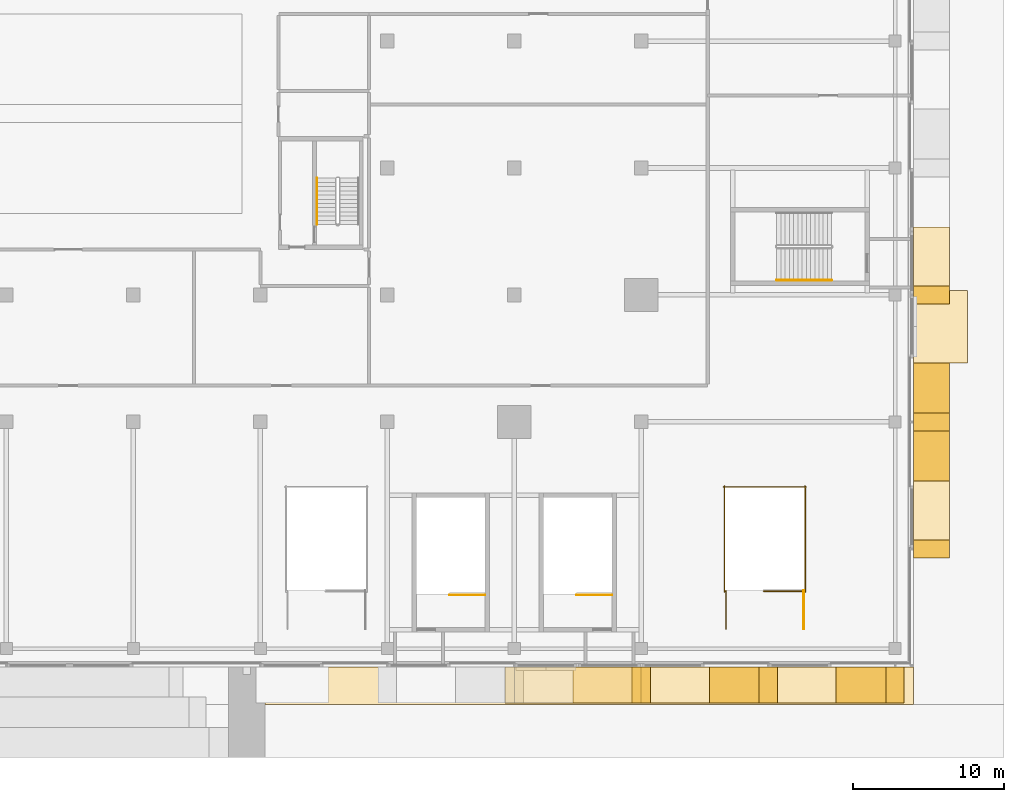
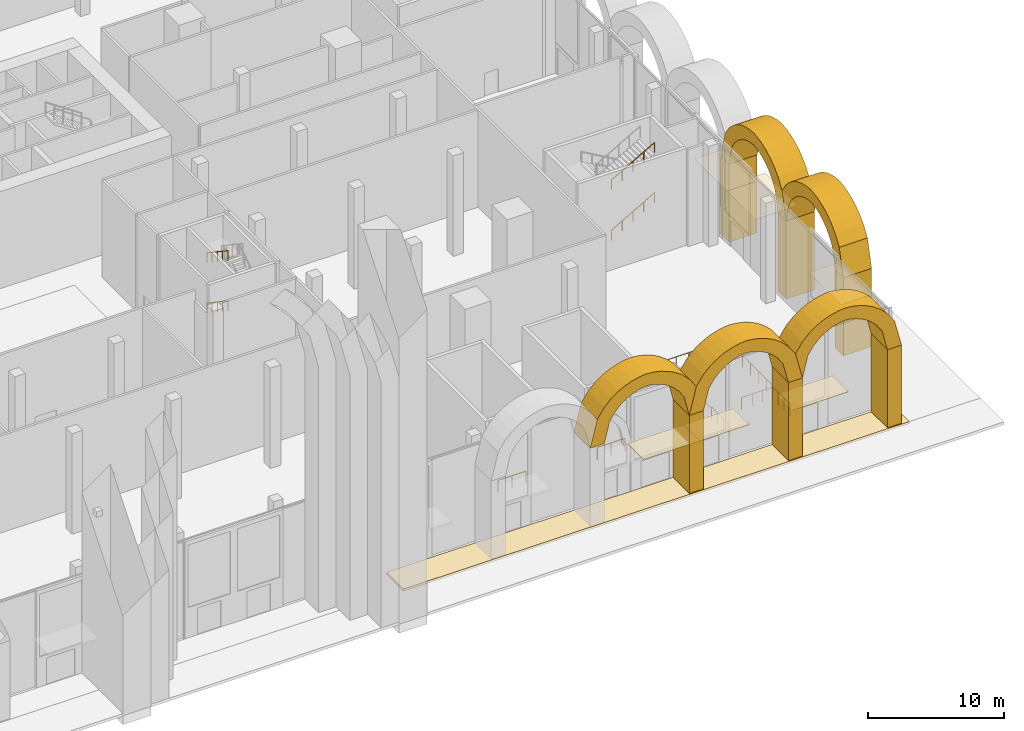
# One storey, part 38 of 43: 18 coverings, 8 railings.
"""IFC4 building model written with IfcOpenShell, lengths in metres."""

from ifc_helpers import new_model, si_unit, direction, frame, origin, origin_2d, place, context, subcontext, project, spatial, polyline, circle, outline, extrude, material, layer, layer_set, type_object, element, save


model = new_model("IFC4")

# Units and contexts
model_context = context("Model", 3, precision=1e-05, world=origin(), true_north=direction((0.0, 1.0)))
body_context = subcontext(model_context, "Body", "Model", "MODEL_VIEW")
ifc_project = project(units=[si_unit("LENGTHUNIT", "METRE"), si_unit("AREAUNIT", "SQUARE_METRE"), si_unit("VOLUMEUNIT", "CUBIC_METRE"), si_unit("PLANEANGLEUNIT", "RADIAN"), si_unit("MASSUNIT", "GRAM", prefix="KILO")], contexts=[model_context])

# Site, building, storey
site_placement = place(None, origin())
site = spatial("IfcSite", under=ifc_project, at=site_placement, CompositionType="ELEMENT")
building_placement = place(site_placement, origin())
building = spatial("IfcBuilding", under=site, at=building_placement, Name="Saffron Gate Tower", CompositionType="ELEMENT")
storey_placement = place(building_placement, origin())
storey = spatial("IfcBuildingStorey", under=building, at=storey_placement, Name="L00", CompositionType="ELEMENT", Elevation=0.0)

# Coverings
ifc_material_1 = material(Name="Cast stone cladding, pale limestone", Category="masonry")
ifc_layer_1 = layer(ifc_material_1, 1.199951171875)
ifc_layer_set_1 = layer_set([ifc_layer_1], Name="AR1 arcade pier")
covering_type_1 = type_object("IfcCoveringType", Name="AR1 arcade pier", PredefinedType="CLADDING", material=ifc_layer_set_1)
covering_1_placement = place(storey_placement, origin())
element("IfcCovering", 1, at=covering_1_placement, inside=storey, type_object=covering_type_1, Name="ARCADE PIER", PredefinedType="CLADDING", context=body_context, shape_type="SweptSolid", body=[
    extrude(outline(polyline([(124.800048828125, 15.60009765625), (126.0, 15.60009765625), (126.0, 13.199951171875), (124.800048828125, 13.199951171875), (124.800048828125, 15.60009765625)])), origin(), (0.0, 0.0, 1.0), 7.0),
])
covering_2_placement = place(storey_placement, origin())
element("IfcCovering", 2, at=covering_2_placement, inside=storey, type_object=covering_type_1, Name="ARCADE PIER", PredefinedType="CLADDING", context=body_context, shape_type="SweptSolid", body=[
    extrude(outline(polyline([(133.199951171875, 15.60009765625), (134.39990234375, 15.60009765625), (134.39990234375, 13.199951171875), (133.199951171875, 13.199951171875), (133.199951171875, 15.60009765625)])), origin(), (0.0, 0.0, 1.0), 7.0),
])
covering_3_placement = place(storey_placement, origin())
element("IfcCovering", 3, at=covering_3_placement, inside=storey, type_object=covering_type_1, Name="ARCADE PIER", PredefinedType="CLADDING", context=body_context, shape_type="SweptSolid", body=[
    extrude(outline(polyline([(141.60009765625, 15.60009765625), (142.800048828125, 15.60009765625), (142.800048828125, 13.199951171875), (141.60009765625, 13.199951171875), (141.60009765625, 15.60009765625)])), origin(), (0.0, 0.0, 1.0), 7.0),
])
covering_4_placement = place(storey_placement, origin())
element("IfcCovering", 4, at=covering_4_placement, inside=storey, type_object=covering_type_1, Name="ARCADE PIER", PredefinedType="CLADDING", context=body_context, shape_type="SweptSolid", body=[
    extrude(outline(polyline([(143.39990234375, 22.800048828125), (143.39990234375, 24.0), (145.800048828125, 24.0), (145.800048828125, 22.800048828125), (143.39990234375, 22.800048828125)])), origin(), (0.0, 0.0, 1.0), 7.0),
])
covering_5_placement = place(storey_placement, origin())
element("IfcCovering", 5, at=covering_5_placement, inside=storey, type_object=covering_type_1, Name="ARCADE PIER", PredefinedType="CLADDING", context=body_context, shape_type="SweptSolid", body=[
    extrude(outline(polyline([(143.39990234375, 31.199951171875), (143.39990234375, 32.39990234375), (145.800048828125, 32.39990234375), (145.800048828125, 31.199951171875), (143.39990234375, 31.199951171875)])), origin(), (0.0, 0.0, 1.0), 7.0),
])
covering_6_placement = place(storey_placement, origin())
element("IfcCovering", 6, at=covering_6_placement, inside=storey, type_object=covering_type_1, Name="ARCADE PIER", PredefinedType="CLADDING", context=body_context, shape_type="SweptSolid", body=[
    extrude(outline(polyline([(143.39990234375, 39.60009765625), (143.39990234375, 40.800048828125), (145.800048828125, 40.800048828125), (145.800048828125, 39.60009765625), (143.39990234375, 39.60009765625)])), origin(), (0.0, 0.0, 1.0), 7.0),
])
ifc_layer_2 = layer(ifc_material_1, 2.39990234375)
ifc_layer_set_2 = layer_set([ifc_layer_2], Name="AR2 arcade arch")
covering_type_2 = type_object("IfcCoveringType", Name="AR2 arcade arch", PredefinedType="CLADDING", material=ifc_layer_set_2)
covering_7_placement = place(storey_placement, frame((117.60009765625, 13.199951171875, 7.0), z_axis=(0.0, -1.0, 0.0), x_axis=(0.239115028028, 0.0, 0.970991247835)))
element("IfcCovering", 7, at=covering_7_placement, inside=storey, type_object=covering_type_2, Name="ARCADE ARCH", PredefinedType="CLADDING", context=body_context, shape_type="SweptSolid", body=[
    extrude(outline(polyline([(0.0, 0.0), (1.881735228381075, 0.0), (2.646925345116447, -0.2749589311548678), (3.203267002539746, -0.6013486093049456), (3.639420046034304, -0.9573357774965345), (3.990290439579541, -1.334575973358484), (4.272829633319021, -1.7283918862185135), (4.4965783413497675, -2.136685466791156), (4.666988907104446, -2.558114028151451), (4.711758515497717, -3.010482766478218), (4.70324835930731, -3.4762235440027536), (4.63588933971578, -3.956204930829786), (4.500257498010882, -4.452999093065014), (4.279284628664273, -4.970809224560487), (3.938123145388924, -5.518216846097472), (3.3881715804938914, -6.117292273039781), (1.721616526260766, -6.991089572726843), (2.0085428843554953, -8.156231658446298), (4.172102963709491, -7.005410384046232), (4.878523373773681, -6.213673843174959), (5.310371767231315, -5.489301611680691), (5.5839235204239435, -4.804162737112771), (5.743391800658454, -4.146866474174116), (5.811592592998358, -3.512045622805447), (5.800200137231722, -2.897076734489788), (5.715735313457013, -2.29985111702), (5.513273779136993, -1.7319346487703329), (5.237739876808899, -1.1817614513665375), (4.882554348681876, -0.651203158605637), (4.436159710352636, -0.14335733582483634), (3.8756815990652784, 0.3366458753266979), (3.1569068475129147, 0.7774157295518843), (2.1635600793539953, 1.1508212744000663), (-0.28698473578711897, 1.1653791441295704), (0.0, 0.0)])), origin(), (0.0, 0.0, -1.0), 2.39990234375),
])
covering_8_placement = place(storey_placement, frame((126.0, 13.199951171875, 7.0), z_axis=(0.0, -1.0, 0.0), x_axis=(0.239115028028, 0.0, 0.970991247835)))
element("IfcCovering", 8, at=covering_8_placement, inside=storey, type_object=covering_type_2, Name="ARCADE ARCH", PredefinedType="CLADDING", context=body_context, shape_type="SweptSolid", body=[
    extrude(outline(polyline([(0.0, 0.0), (1.881735228381075, 0.0), (2.646925345116447, -0.2749589311548678), (3.203325380232136, -0.6015856677150615), (3.6394784237266933, -0.9575728359066504), (3.990290439579541, -1.334575973358484), (4.272829633319021, -1.7283918862185135), (4.4965783413497675, -2.136685466791156), (4.667047284796835, -2.5583510865615673), (4.7118168931901065, -3.0107198248883336), (4.70324835930731, -3.4762235440027536), (4.63588933971578, -3.956204930829786), (4.500257498010882, -4.452999093065014), (4.2793430063566635, -4.971046282970603), (3.9381815230813135, -5.518453904507588), (3.3881715804938914, -6.117292273039781), (1.721616526260766, -6.991089572726843), (2.0085428843554953, -8.156231658446298), (4.17216134140188, -7.005647442456348), (4.878523373773681, -6.213673843174959), (5.310430144923704, -5.489538670090807), (5.5839235204239435, -4.804162737112771), (5.743391800658454, -4.146866474174116), (5.8116509706907475, -3.512282681215563), (5.800200137231722, -2.897076734489788), (5.715793691149402, -2.300088175430116), (5.513273779136993, -1.7319346487703329), (5.237739876808899, -1.1817614513665375), (4.882612726374266, -0.6514402170157529), (4.436159710352636, -0.14335733582483634), (3.875739976757668, 0.336408816916582), (3.1569068475129147, 0.7774157295518843), (2.1635600793539953, 1.1508212744000663), (-0.2869263580947294, 1.1651420857194545), (0.0, 0.0)])), origin(), (0.0, 0.0, -1.0), 2.39990234375),
])
covering_9_placement = place(storey_placement, frame((134.39990234375, 13.199951171875, 7.0), z_axis=(0.0, -1.0, 0.0), x_axis=(0.239237346473, 0.0, 0.970961117683)))
element("IfcCovering", 9, at=covering_9_placement, inside=storey, type_object=covering_type_2, Name="ARCADE ARCH", PredefinedType="CLADDING", context=body_context, shape_type="SweptSolid", body=[
    extrude(outline(polyline([(0.0, 0.0), (1.8817936210051474, 0.0), (2.6470183695411396, -0.2748625343682679), (3.203401139395791, -0.6011821249482396), (3.6395990248106704, -0.9571143460609401), (3.990458530741687, -1.3340732870785366), (4.273105740640905, -1.7280906550741717), (4.496905881562616, -2.1363560457279465), (4.6673695353069125, -2.5577631363222815), (4.712196130366634, -3.010126231221047), (4.703686238248943, -3.4756310260603724), (4.636446092264326, -3.9558579456660814), (4.500876835137328, -4.452669190141585), (4.279969198526468, -4.970507154521985), (3.9388766774758355, -5.517957749435114), (3.388942177743862, -6.116865400559946), (1.7225556206533161, -6.9911096881612895), (2.0096287549104384, -8.156215619170132), (4.1730438427179735, -7.00512180004296), (4.879364508393852, -6.2132962743460105), (5.31112164584135, -5.488869646622356), (5.58452867913546, -4.80345926583334), (5.743972562952254, -4.1463799701936), (5.812093383376849, -3.5115505322869174), (5.800623457171799, -2.896583084012261), (5.716083398741931, -2.2993681117132256), (5.513491915359386, -1.7312401019492978), (5.237947114862605, -1.1813386702692357), (4.882694752625596, -0.6508251261129545), (4.436236142106971, -0.14303554179797584), (3.875697567000447, 0.3368970594759718), (3.1568088877405365, 0.7778134138152791), (2.163473495362826, 1.150856768073049), (-0.2870731342571223, 1.165105931008841), (0.0, 0.0)])), origin(), (0.0, 0.0, -1.0), 2.39990234375),
])
covering_10_placement = place(storey_placement, frame((145.800048828125, 24.0, 7.0), z_axis=(1.0, 0.0, 0.0), x_axis=(0.0, 0.239115028028, 0.970991247835)))
element("IfcCovering", 10, at=covering_10_placement, inside=storey, type_object=covering_type_2, Name="ARCADE ARCH", PredefinedType="CLADDING", context=body_context, shape_type="SweptSolid", body=[
    extrude(outline(polyline([(0.0, 0.0), (1.881735228381075, 0.0), (2.646925345116447, -0.2749589311548678), (3.203325380232136, -0.6015856677150615), (3.6394784237266933, -0.9575728359066504), (3.990290439579541, -1.334575973358484), (4.272829633319021, -1.7283918862185135), (4.4965783413497675, -2.136685466791156), (4.667047284796835, -2.5583510865615673), (4.7118168931901065, -3.0107198248883336), (4.70324835930731, -3.4762235440027536), (4.63588933971578, -3.956204930829786), (4.500257498010882, -4.452999093065014), (4.2793430063566635, -4.971046282970603), (3.9381815230813135, -5.518453904507588), (3.3881715804938914, -6.117292273039781), (1.721616526260766, -6.991089572726843), (2.0085428843554953, -8.156231658446298), (4.17216134140188, -7.005647442456348), (4.878523373773681, -6.213673843174959), (5.310430144923704, -5.489538670090807), (5.5839235204239435, -4.804162737112771), (5.743391800658454, -4.146866474174116), (5.8116509706907475, -3.512282681215563), (5.800200137231722, -2.897076734489788), (5.715793691149402, -2.300088175430116), (5.513273779136993, -1.7319346487703329), (5.237739876808899, -1.1817614513665375), (4.882612726374266, -0.6514402170157529), (4.436159710352636, -0.14335733582483634), (3.875739976757668, 0.336408816916582), (3.1569068475129147, 0.7774157295518843), (2.1635600793539953, 1.1508212744000663), (-0.2869263580947294, 1.1651420857194545), (0.0, 0.0)])), origin(), (0.0, 0.0, -1.0), 2.39990234375),
])
covering_11_placement = place(storey_placement, frame((145.800048828125, 32.39990234375, 7.0), z_axis=(1.0, 0.0, 0.0), x_axis=(0.0, 0.239237346473, 0.970961117683)))
element("IfcCovering", 11, at=covering_11_placement, inside=storey, type_object=covering_type_2, Name="ARCADE ARCH", PredefinedType="CLADDING", context=body_context, shape_type="SweptSolid", body=[
    extrude(outline(polyline([(0.0, 0.0), (1.8817936210051474, 0.0), (2.6470183695411396, -0.2748625343682679), (3.203401139395791, -0.6011821249482396), (3.6395990248106704, -0.9571143460609401), (3.990458530741687, -1.3340732870785366), (4.273105740640905, -1.7280906550741717), (4.496905881562616, -2.1363560457279465), (4.6673695353069125, -2.5577631363222815), (4.712196130366634, -3.010126231221047), (4.703686238248943, -3.4756310260603724), (4.636446092264326, -3.9558579456660814), (4.500876835137328, -4.452669190141585), (4.279969198526468, -4.970507154521985), (3.9388766774758355, -5.517957749435114), (3.388942177743862, -6.116865400559946), (1.7225556206533161, -6.9911096881612895), (2.0096287549104384, -8.156215619170132), (4.1730438427179735, -7.00512180004296), (4.879364508393852, -6.2132962743460105), (5.31112164584135, -5.488869646622356), (5.58452867913546, -4.80345926583334), (5.743972562952254, -4.1463799701936), (5.812093383376849, -3.5115505322869174), (5.800623457171799, -2.896583084012261), (5.716083398741931, -2.2993681117132256), (5.513491915359386, -1.7312401019492978), (5.237947114862605, -1.1813386702692357), (4.882694752625596, -0.6508251261129545), (4.436236142106971, -0.14303554179797584), (3.875697567000447, 0.3368970594759718), (3.1568088877405365, 0.7778134138152791), (2.163473495362826, 1.150856768073049), (-0.2870731342571223, 1.165105931008841), (0.0, 0.0)])), origin(), (0.0, 0.0, -1.0), 2.39990234375),
])
ifc_material_2 = material(Name="Bronze-anodised aluminium soffit panels", Category="aluminium")
ifc_layer_3 = layer(ifc_material_2, 0.030029296875)
ifc_layer_set_3 = layer_set([ifc_layer_3], Name="CE1 canopy soffit lining")
covering_type_3 = type_object("IfcCoveringType", Name="CE1 canopy soffit lining", PredefinedType="CEILING", material=ifc_layer_set_3)
covering_12_placement = place(storey_placement, frame((0.0, 0.0, 4.3701171875)))
element("IfcCovering", 12, at=covering_12_placement, inside=storey, type_object=covering_type_3, Name="ENTRANCE CANOPY soffit lining", PredefinedType="CEILING", context=body_context, shape_type="SweptSolid", body=[
    extrude(outline(polyline([(143.39990234375, 35.699951171875), (143.39990234375, 40.5), (147.0, 40.5), (147.0, 35.699951171875), (143.39990234375, 35.699951171875)])), origin(), (0.0, 0.0, 1.0), 0.02978515625),
])
covering_13_placement = place(storey_placement, frame((0.0, 0.0, 4.3701171875)))
element("IfcCovering", 13, at=covering_13_placement, inside=storey, type_object=covering_type_3, Name="ENTRANCE CANOPY soffit lining", PredefinedType="CEILING", context=body_context, shape_type="SweptSolid", body=[
    extrude(outline(polyline([(133.5, 15.60009765625), (138.300048828125, 15.60009765625), (138.300048828125, 13.199951171875), (133.5, 13.199951171875), (133.5, 15.60009765625)])), origin(), (0.0, 0.0, 1.0), 0.02978515625),
])
covering_14_placement = place(storey_placement, frame((0.0, 0.0, 4.3701171875)))
element("IfcCovering", 14, at=covering_14_placement, inside=storey, type_object=covering_type_3, Name="ENTRANCE CANOPY soffit lining", PredefinedType="CEILING", context=body_context, shape_type="SweptSolid", body=[
    extrude(outline(polyline([(143.39990234375, 23.10009765625), (143.39990234375, 27.89990234375), (145.800048828125, 27.89990234375), (145.800048828125, 23.10009765625), (143.39990234375, 23.10009765625)])), origin(), (0.0, 0.0, 1.0), 0.02978515625),
])
covering_15_placement = place(storey_placement, frame((0.0, 0.0, 4.3701171875)))
element("IfcCovering", 15, at=covering_15_placement, inside=storey, type_object=covering_type_3, Name="ENTRANCE CANOPY soffit lining", PredefinedType="CEILING", context=body_context, shape_type="SweptSolid", body=[
    extrude(outline(polyline([(125.10009765625, 15.60009765625), (129.89990234375, 15.60009765625), (129.89990234375, 13.199951171875), (125.10009765625, 13.199951171875), (125.10009765625, 15.60009765625)])), origin(), (0.0, 0.0, 1.0), 0.02978515625),
])
covering_16_placement = place(storey_placement, frame((0.0, 0.0, 4.3701171875)))
element("IfcCovering", 16, at=covering_16_placement, inside=storey, type_object=covering_type_3, Name="ENTRANCE CANOPY soffit lining", PredefinedType="CEILING", context=body_context, shape_type="SweptSolid", body=[
    extrude(outline(polyline([(143.39990234375, 39.89990234375), (143.39990234375, 44.699951171875), (145.800048828125, 44.699951171875), (145.800048828125, 39.89990234375), (143.39990234375, 39.89990234375)])), origin(), (0.0, 0.0, 1.0), 0.02978515625),
])
covering_17_placement = place(storey_placement, frame((0.0, 0.0, 4.3701171875)))
element("IfcCovering", 17, at=covering_17_placement, inside=storey, type_object=covering_type_3, Name="ENTRANCE CANOPY soffit lining", PredefinedType="CEILING", context=body_context, shape_type="SweptSolid", body=[
    extrude(outline(polyline([(120.89990234375, 15.60009765625), (125.699951171875, 15.60009765625), (125.699951171875, 13.199951171875), (120.89990234375, 13.199951171875), (120.89990234375, 15.60009765625)])), origin(), (0.0, 0.0, 1.0), 0.02978515625),
])

# Railings
ifc_material_3 = material(Name="Stainless steel and laminated glass", Category="steel")
railing_type_1 = type_object("IfcRailingType", Name="CR1 Stair guard 1100", PredefinedType="GUARDRAIL", material=ifc_material_3)
railing_1_placement = place(storey_placement, frame((131.0, 18.10009765625, 0.0)))
element("IfcRailing", 18, at=railing_1_placement, inside=storey, type_object=railing_type_1, Name="L00 SS4 top well guard 1", PredefinedType="GUARDRAIL", context=body_context, shape_type="SweptSolid", body=[
    extrude(circle(Radius=0.02392578125, at=origin_2d()), frame((0.0, 0.0, 1.076171875), z_axis=(0.0, 1.0, 0.0), x_axis=(-1.0, 0.0, 0.0)), (0.0, 0.0, 1.0), 2.5498046875),
    extrude(circle(Radius=0.02392578125, at=origin_2d()), frame((0.0, 2.5498046875, 1.076171875), z_axis=(-0.707969631694, -0.706242876495, 0.0), x_axis=(0.706242876495, -0.707969631694, 0.0)), (0.0, 0.0, 1.0), 0.141357421875),
    extrude(circle(Radius=0.02392578125, at=origin_2d()), frame((-0.10009765625, 2.449951171875, 1.076171875), z_axis=(0.0, 1.0, 0.0), x_axis=(-1.0, 0.0, 0.0)), (0.0, 0.0, 1.0), 7.0),
    extrude(circle(Radius=0.02392578125, at=origin_2d()), frame((-0.10009765625, 9.449951171875, 1.076171875), z_axis=(-0.705375805398, -0.708833529934, 0.0), x_axis=(0.708833529934, -0.705375805398, 0.0)), (0.0, 0.0, 1.0), 0.070556640625),
    extrude(circle(Radius=0.02392578125, at=origin_2d()), frame((-0.14990234375, 9.39990234375, 1.076171875), z_axis=(1.0, 0.0, 0.0), x_axis=(0.0, 1.0, 0.0)), (0.0, 0.0, 1.0), 5.449951171875),
    extrude(circle(Radius=0.02392578125, at=origin_2d()), frame((5.300048828125, 9.39990234375, 1.076171875), z_axis=(-0.707106781187, 0.707106781187, 0.0), x_axis=(-0.707106781187, -0.707106781187, 0.0)), (0.0, 0.0, 1.0), 0.07080078125),
    extrude(circle(Radius=0.02392578125, at=origin_2d()), frame((5.25, 9.449951171875, 1.076171875), z_axis=(0.0, -1.0, 0.0), x_axis=(1.0, 0.0, 0.0)), (0.0, 0.0, 1.0), 7.0),
    extrude(circle(Radius=0.02392578125, at=origin_2d()), frame((5.25, 2.449951171875, 1.076171875), z_axis=(-0.707106781187, 0.707106781187, 0.0), x_axis=(-0.707106781187, -0.707106781187, 0.0)), (0.0, 0.0, 1.0), 0.07080078125),
    extrude(circle(Radius=0.02392578125, at=origin_2d()), frame((5.199951171875, 2.5, 1.076171875), z_axis=(-1.0, 0.0, 0.0), x_axis=(0.0, -1.0, 0.0)), (0.0, 0.0, 1.0), 2.699951171875),
    extrude(circle(Radius=0.02099609375, at=origin_2d()), origin(), (0.0, 0.0, 1.0), 1.052001953125),
    extrude(circle(Radius=0.02099609375, at=origin_2d()), frame((0.0, 0.849853515625, 0.0)), (0.0, 0.0, 1.0), 1.052001953125),
    extrude(circle(Radius=0.02099609375, at=origin_2d()), frame((0.0, 1.699951171875, 0.0)), (0.0, 0.0, 1.0), 1.052001953125),
    extrude(circle(Radius=0.02099609375, at=origin_2d()), frame((0.0, 2.5498046875, 0.0)), (0.0, 0.0, 1.0), 1.052001953125),
    extrude(circle(Radius=0.02099609375, at=origin_2d()), frame((-0.10009765625, 2.449951171875, 0.0)), (0.0, 0.0, 1.0), 1.052001953125),
    extrude(circle(Radius=0.02099609375, at=origin_2d()), frame((-0.10009765625, 3.61669921875, 0.0)), (0.0, 0.0, 1.0), 1.052001953125),
    extrude(circle(Radius=0.02099609375, at=origin_2d()), frame((-0.10009765625, 4.783203125, 0.0)), (0.0, 0.0, 1.0), 1.052001953125),
    extrude(circle(Radius=0.02099609375, at=origin_2d()), frame((-0.10009765625, 5.949951171875, 0.0)), (0.0, 0.0, 1.0), 1.052001953125),
    extrude(circle(Radius=0.02099609375, at=origin_2d()), frame((-0.10009765625, 7.11669921875, 0.0)), (0.0, 0.0, 1.0), 1.052001953125),
    extrude(circle(Radius=0.02099609375, at=origin_2d()), frame((-0.10009765625, 8.283203125, 0.0)), (0.0, 0.0, 1.0), 1.052001953125),
    extrude(circle(Radius=0.02099609375, at=origin_2d()), frame((-0.10009765625, 9.449951171875, 0.0)), (0.0, 0.0, 1.0), 1.052001953125),
    extrude(circle(Radius=0.02099609375, at=origin_2d()), frame((-0.14990234375, 9.39990234375, 0.0)), (0.0, 0.0, 1.0), 1.052001953125),
    extrude(circle(Radius=0.02099609375, at=origin_2d()), frame((0.940185546875, 9.39990234375, 0.0)), (0.0, 0.0, 1.0), 1.052001953125),
    extrude(circle(Radius=0.02099609375, at=origin_2d()), frame((2.030029296875, 9.39990234375, 0.0)), (0.0, 0.0, 1.0), 1.052001953125),
    extrude(circle(Radius=0.02099609375, at=origin_2d()), frame((3.1201171875, 9.39990234375, 0.0)), (0.0, 0.0, 1.0), 1.052001953125),
    extrude(circle(Radius=0.02099609375, at=origin_2d()), frame((4.2099609375, 9.39990234375, 0.0)), (0.0, 0.0, 1.0), 1.052001953125),
    extrude(circle(Radius=0.02099609375, at=origin_2d()), frame((5.300048828125, 9.39990234375, 0.0)), (0.0, 0.0, 1.0), 1.052001953125),
    extrude(circle(Radius=0.02099609375, at=origin_2d()), frame((5.25, 9.449951171875, 0.0)), (0.0, 0.0, 1.0), 1.052001953125),
    extrude(circle(Radius=0.02099609375, at=origin_2d()), frame((5.25, 8.283203125, 0.0)), (0.0, 0.0, 1.0), 1.052001953125),
    extrude(circle(Radius=0.02099609375, at=origin_2d()), frame((5.25, 7.11669921875, 0.0)), (0.0, 0.0, 1.0), 1.052001953125),
    extrude(circle(Radius=0.02099609375, at=origin_2d()), frame((5.25, 5.949951171875, 0.0)), (0.0, 0.0, 1.0), 1.052001953125),
    extrude(circle(Radius=0.02099609375, at=origin_2d()), frame((5.25, 4.783203125, 0.0)), (0.0, 0.0, 1.0), 1.052001953125),
    extrude(circle(Radius=0.02099609375, at=origin_2d()), frame((5.25, 3.61669921875, 0.0)), (0.0, 0.0, 1.0), 1.052001953125),
    extrude(circle(Radius=0.02099609375, at=origin_2d()), frame((5.25, 2.449951171875, 0.0)), (0.0, 0.0, 1.0), 1.052001953125),
    extrude(circle(Radius=0.02099609375, at=origin_2d()), frame((5.199951171875, 2.5, 0.0)), (0.0, 0.0, 1.0), 1.052001953125),
    extrude(circle(Radius=0.02099609375, at=origin_2d()), frame((4.300048828125, 2.5, 0.0)), (0.0, 0.0, 1.0), 1.052001953125),
    extrude(circle(Radius=0.02099609375, at=origin_2d()), frame((3.39990234375, 2.5, 0.0)), (0.0, 0.0, 1.0), 1.052001953125),
    extrude(circle(Radius=0.02099609375, at=origin_2d()), frame((2.5, 2.5, 0.0)), (0.0, 0.0, 1.0), 1.052001953125),
])
railing_2_placement = place(storey_placement, frame((136.14990234375, 18.10009765625, 0.0)))
element("IfcRailing", 19, at=railing_2_placement, inside=storey, type_object=railing_type_1, Name="L00 SS4 top well guard 2", PredefinedType="GUARDRAIL", context=body_context, shape_type="SweptSolid", body=[
    extrude(circle(Radius=0.02392578125, at=origin_2d()), frame((0.0, 0.0, 1.076171875), z_axis=(0.0, 1.0, 0.0), x_axis=(-1.0, 0.0, 0.0)), (0.0, 0.0, 1.0), 2.5498046875),
    extrude(circle(Radius=0.02099609375, at=origin_2d()), origin(), (0.0, 0.0, 1.0), 1.052001953125),
    extrude(circle(Radius=0.02099609375, at=origin_2d()), frame((0.0, 0.849853515625, 0.0)), (0.0, 0.0, 1.0), 1.052001953125),
    extrude(circle(Radius=0.02099609375, at=origin_2d()), frame((0.0, 1.699951171875, 0.0)), (0.0, 0.0, 1.0), 1.052001953125),
    extrude(circle(Radius=0.02099609375, at=origin_2d()), frame((0.0, 2.5498046875, 0.0)), (0.0, 0.0, 1.0), 1.052001953125),
])
railing_3_placement = place(storey_placement, frame((123.47509765625, 20.35009765625, 0.0)))
element("IfcRailing", 20, at=railing_3_placement, inside=storey, type_object=railing_type_1, Name="L00 ST-M top well guard 1", PredefinedType="GUARDRAIL", context=body_context, shape_type="SweptSolid", body=[
    extrude(circle(Radius=0.02392578125, at=origin_2d()), frame((0.0, 0.0, 1.076171875), z_axis=(-1.0, 0.0, 0.0), x_axis=(0.0, -1.0, 0.0)), (0.0, 0.0, 1.0), 2.35009765625),
    extrude(circle(Radius=0.02099609375, at=origin_2d()), origin(), (0.0, 0.0, 1.0), 1.052001953125),
    extrude(circle(Radius=0.02099609375, at=origin_2d()), frame((-1.175048828125, 0.0, 0.0)), (0.0, 0.0, 1.0), 1.052001953125),
    extrude(circle(Radius=0.02099609375, at=origin_2d()), frame((-2.35009765625, 0.0, 0.0)), (0.0, 0.0, 1.0), 1.052001953125),
])
railing_4_placement = place(storey_placement, frame((115.074951171875, 20.35009765625, 0.0)))
element("IfcRailing", 21, at=railing_4_placement, inside=storey, type_object=railing_type_1, Name="L00 ST-N top well guard 1", PredefinedType="GUARDRAIL", context=body_context, shape_type="SweptSolid", body=[
    extrude(circle(Radius=0.02392578125, at=origin_2d()), frame((0.0, 0.0, 1.076171875), z_axis=(-1.0, 0.0, 0.0), x_axis=(0.0, -1.0, 0.0)), (0.0, 0.0, 1.0), 2.349853515625),
    extrude(circle(Radius=0.02099609375, at=origin_2d()), origin(), (0.0, 0.0, 1.0), 1.052001953125),
    extrude(circle(Radius=0.02099609375, at=origin_2d()), frame((-1.1748046875, 0.0, 0.0)), (0.0, 0.0, 1.0), 1.052001953125),
    extrude(circle(Radius=0.02099609375, at=origin_2d()), frame((-2.349853515625, 0.0, 0.0)), (0.0, 0.0, 1.0), 1.052001953125),
])
ifc_material_4 = material(Name="Stainless steel", Category="steel")
railing_type_2 = type_object("IfcRailingType", Name="CR2 Stair handrail 900", PredefinedType="HANDRAIL", material=ifc_material_4)
for number, where, name in (
    (22, (103.949951171875, 47.929931640625, 2.4375), "L00 ST-E stair handrail 2"),
    (23, (103.949951171875, 47.929931640625, 6.9375), "L00 ST-E stair handrail 4"),
):
    element("IfcRailing", number, at=place(storey_placement, frame(where)), inside=storey, type_object=railing_type_2, Name=name, PredefinedType="HANDRAIL", context=body_context, shape_type="SweptSolid", body=[
        extrude(circle(Radius=0.02392578125, at=origin_2d()), frame((0.0, 0.0, 0.8759765625), z_axis=(0.0, -0.830893310487, 0.556431762742), x_axis=(1.0, 0.0, 0.0)), (0.0, 0.0, 1.0), 3.70654296875),
        extrude(circle(Radius=0.02099609375, at=origin_2d()), origin(), (0.0, 0.0, 1.0), 0.851806640625),
        extrude(circle(Radius=0.02099609375, at=origin_2d()), frame((0.0, -0.77001953125, 0.515625)), (0.0, 0.0, 1.0), 0.851806640625),
        extrude(circle(Radius=0.02099609375, at=origin_2d()), frame((0.0, -1.5400390625, 1.03125)), (0.0, 0.0, 1.0), 0.851806640625),
        extrude(circle(Radius=0.02099609375, at=origin_2d()), frame((0.0, -2.309814453125, 1.546875)), (0.0, 0.0, 1.0), 0.851806640625),
        extrude(circle(Radius=0.02099609375, at=origin_2d()), frame((0.0, -3.079833984375, 2.0625)), (0.0, 0.0, 1.0), 0.851806640625),
    ])
for number, where, name in (
    (24, (134.360107421875, 41.175048828125, 2.41064453125), "L00 ST-K stair handrail 2"),
    (25, (134.360107421875, 41.175048828125, 6.91064453125), "L00 ST-K stair handrail 4"),
):
    element("IfcRailing", number, at=place(storey_placement, frame(where)), inside=storey, type_object=railing_type_2, Name=name, PredefinedType="HANDRAIL", context=body_context, shape_type="SweptSolid", body=[
        extrude(circle(Radius=0.02392578125, at=origin_2d()), frame((0.0, 0.0, 0.8759765625), z_axis=(0.8672749571, 0.0, 0.497829437445), x_axis=(0.0, 1.0, 0.0)), (0.0, 0.0, 1.0), 4.197021484375),
        extrude(circle(Radius=0.02099609375, at=origin_2d()), origin(), (0.0, 0.0, 1.0), 0.851806640625),
        extrude(circle(Radius=0.02099609375, at=origin_2d()), frame((0.909912109375, 0.0, 0.5224609375)), (0.0, 0.0, 1.0), 0.851806640625),
        extrude(circle(Radius=0.02099609375, at=origin_2d()), frame((1.81982421875, 0.0, 1.044677734375)), (0.0, 0.0, 1.0), 0.851806640625),
        extrude(circle(Radius=0.02099609375, at=origin_2d()), frame((2.72998046875, 0.0, 1.56689453125)), (0.0, 0.0, 1.0), 0.851806640625),
        extrude(circle(Radius=0.02099609375, at=origin_2d()), frame((3.639892578125, 0.0, 2.08935546875)), (0.0, 0.0, 1.0), 0.851806640625),
    ])

# Covering
ifc_material_5 = material(Name="Granite paving on compacted base", Category="masonry")
ifc_layer_4 = layer(ifc_material_5, 0.199951171875)
ifc_layer_set_4 = layer_set([ifc_layer_4], Name="PV1 granite paving")
covering_type_4 = type_object("IfcCoveringType", Name="PV1 granite paving", PredefinedType="FLOORING", material=ifc_layer_set_4)
covering_18_placement = place(storey_placement, frame((0.0, 0.0, -0.199951171875)))
element("IfcCovering", 26, at=covering_18_placement, inside=storey, type_object=covering_type_4, Name="PAVING footway along the gate front", PredefinedType="FLOORING", context=body_context, shape_type="SweptSolid", body=[
    extrude(outline(polyline([(143.39990234375, 13.10009765625), (100.5, 13.10009765625), (100.5, 15.60009765625), (143.39990234375, 15.60009765625), (143.39990234375, 13.10009765625)])), origin(), (0.0, 0.0, 1.0), 0.199951171875),
])

save(model, "model.ifc")
